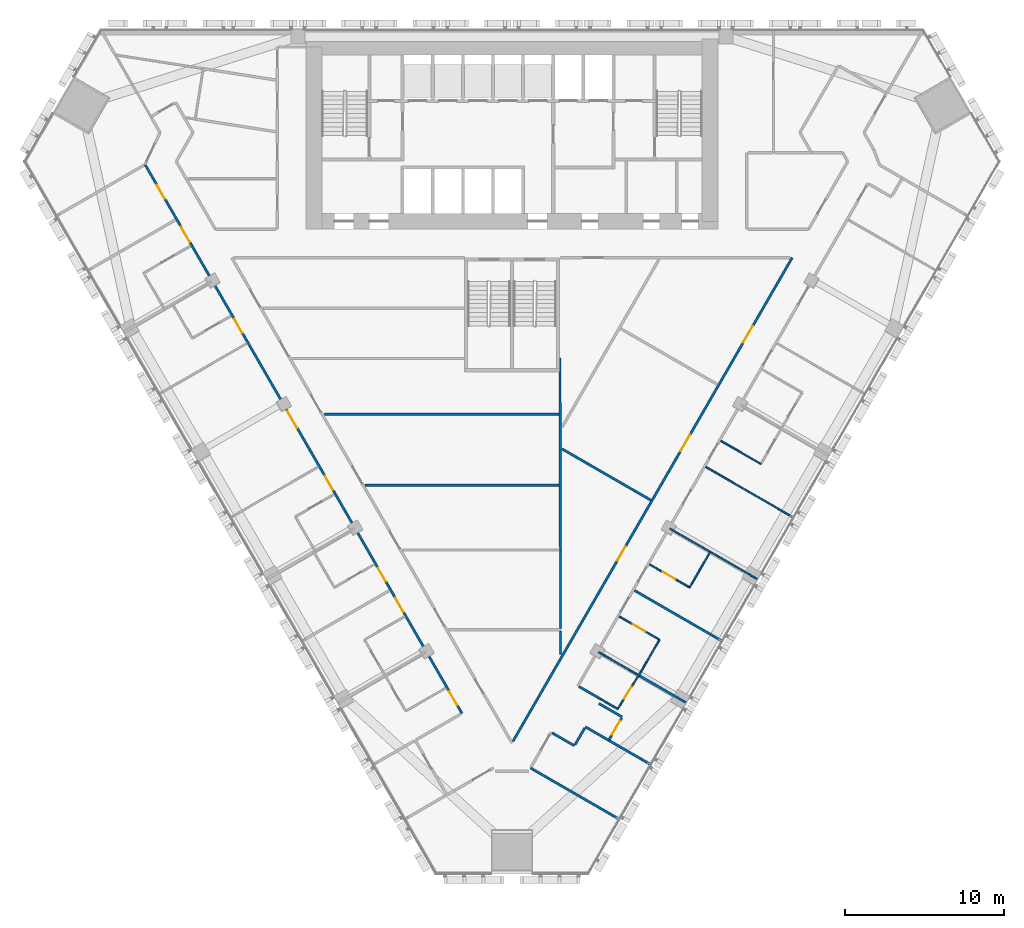
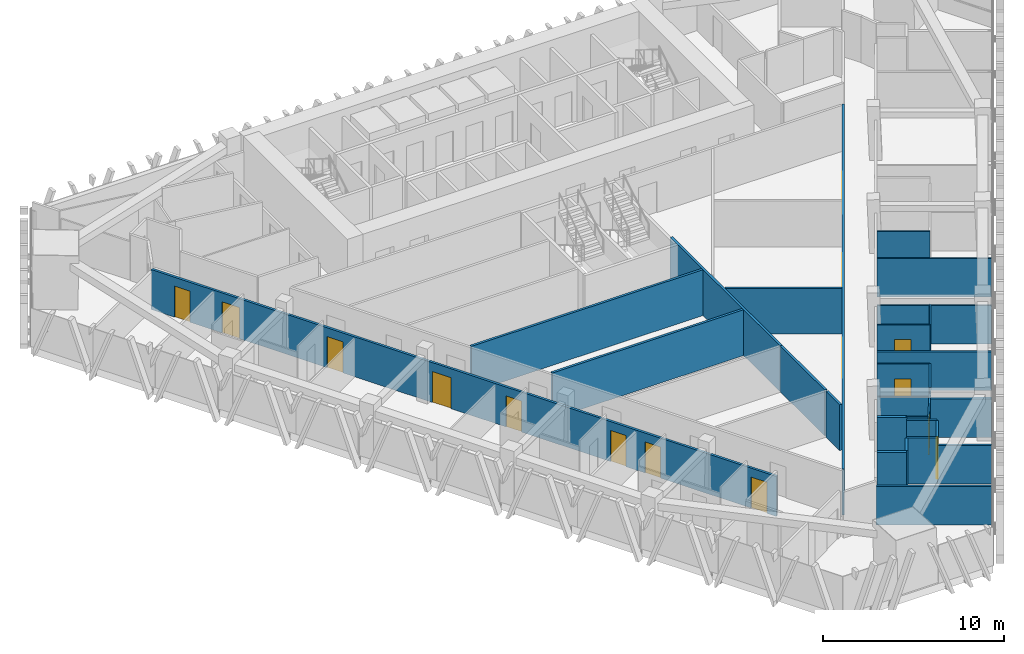
# One storey, part 11 of 18: 28 walls, 15 doors, 15 openings.
"""IFC4 building model written with IfcOpenShell, lengths in metres."""

from ifc_helpers import new_model, si_unit, direction, frame, frame_2d, origin, place, context, subcontext, project, spatial, rectangle, extrude, material, layer, layer_set, type_object, element, fill, save


model = new_model("IFC4")

# Units and contexts
model_context = context("Model", 3, precision=1e-05, world=origin(), true_north=direction((0.0, 1.0)))
body_context = subcontext(model_context, "Body", "Model", "MODEL_VIEW")
ifc_project = project(units=[si_unit("LENGTHUNIT", "METRE"), si_unit("AREAUNIT", "SQUARE_METRE"), si_unit("VOLUMEUNIT", "CUBIC_METRE"), si_unit("PLANEANGLEUNIT", "RADIAN"), si_unit("MASSUNIT", "GRAM", prefix="KILO")], contexts=[model_context])

# Site, building, storey
site_placement = place(None, origin())
site = spatial("IfcSite", under=ifc_project, at=site_placement, CompositionType="ELEMENT")
building_placement = place(site_placement, origin())
building = spatial("IfcBuilding", under=site, at=building_placement, Name="Altiplano Prism Tower", CompositionType="ELEMENT")
storey_placement = place(building_placement, frame((0.0, 0.0, 45.0)))
storey = spatial("IfcBuildingStorey", under=building, at=storey_placement, Name="L10", CompositionType="ELEMENT", Elevation=45.0)

# Wall, opening, door
ifc_material_1 = material(Name="Plasterboard on steel stud", Category="steel")
ifc_layer_1 = layer(ifc_material_1, 0.10009765625)
ifc_layer_set_1 = layer_set([ifc_layer_1], Name="Plasterboard on steel stud")
wall_type_1 = type_object("IfcWallType", Name="Partition 100 unit", PredefinedType="PARTITIONING", material=ifc_layer_set_1)
wall_1_placement = place(storey_placement, frame((93.155517578125, 64.51123046875, 0.0), z_axis=(0.0, 0.0, 1.0), x_axis=(-0.530562750291, -0.847645661821, 0.0)))
wall_1 = element("IfcWall", 1, at=wall_1_placement, inside=storey, type_object=wall_type_1, Name="Partition P02 L10 082", PredefinedType="PARTITIONING", context=body_context, shape_type="SweptSolid", body=[
    extrude(rectangle(XDim=2.8017578125, YDim=0.10009765625, at=frame_2d((1.40087890625, 0.0))), origin(), (0.0, 0.0, 1.0), 2.699951171875),
])
opening_1_placement = place(wall_1_placement, frame((1.154052734375, 0.0, 0.0)))
opening_1 = element("IfcOpeningElement", 2, at=opening_1_placement, cuts=wall_1, Name="Opening D0395", PredefinedType="OPENING", context=body_context, shape_type="SweptSolid", body=[
    extrude(rectangle(XDim=0.89990234375, YDim=2.10009765625, at=frame_2d((0.449951171875, 1.050048828125))), frame((0.0, 0.060546875, 0.0), z_axis=(0.0, -1.0, 0.0), x_axis=(1.0, 0.0, 0.0)), (0.0, 0.0, 1.0), 0.12109375),
])
ifc_material_2 = material(Name="Timber", Category="wood")
door_type_1 = type_object("IfcDoorType", Name="Ensuite door 900 x 2100", OperationType="NOTDEFINED", PredefinedType="NOTDEFINED", material=ifc_material_2)
door_1_placement = place(opening_1_placement, origin())
door_1 = element("IfcDoor", 3, at=door_1_placement, inside=storey, type_object=door_type_1, Name="Door D0395", OperationType="SINGLE_SWING_LEFT", OverallHeight=2.10009765625, OverallWidth=0.89990234375, PredefinedType="NOTDEFINED", context=body_context, shape_type="SweptSolid", body=[
    extrude(rectangle(XDim=0.89990234375, YDim=2.10009765625, at=frame_2d((0.449951171875, 1.050048828125))), frame((0.0, 0.02490234375, 0.0), z_axis=(0.0, -1.0, 0.0), x_axis=(1.0, 0.0, 0.0)), (0.0, 0.0, 1.0), 0.050048828125),
])
fill(opening_1, door_1)

# Wall
wall_2_placement = place(storey_placement, frame((91.6689453125, 62.13623046875, 0.0), z_axis=(0.0, 0.0, 1.0), x_axis=(-0.866005645448, 0.500034220881, 0.0)))
element("IfcWall", 4, at=wall_2_placement, inside=storey, type_object=wall_type_1, Name="Partition P02 L10 083", PredefinedType="PARTITIONING", context=body_context, shape_type="SweptSolid", body=[
    extrude(rectangle(XDim=1.22021484375, YDim=0.10009765625, at=frame_2d((0.610107421875, 0.0))), origin(), (0.0, 0.0, 1.0), 3.10009765625),
])

# Wall, opening, door
wall_3_placement = place(storey_placement, frame((91.7724609375, 67.965576171875, 0.0), z_axis=(0.0, 0.0, 1.0), x_axis=(0.866025730634, -0.499999433879, 0.0)))
wall_3 = element("IfcWall", 5, at=wall_3_placement, inside=storey, type_object=wall_type_1, Name="Partition P02 L10 086", PredefinedType="PARTITIONING", context=body_context, shape_type="SweptSolid", body=[
    extrude(rectangle(XDim=2.9248046875, YDim=0.10009765625, at=frame_2d((1.46240234375, 0.0))), origin(), (0.0, 0.0, 1.0), 3.10009765625),
])
opening_2_placement = place(wall_3_placement, frame((0.97509765625, 0.0, 0.0)))
opening_2 = element("IfcOpeningElement", 6, at=opening_2_placement, cuts=wall_3, Name="Opening D0397", PredefinedType="OPENING", context=body_context, shape_type="SweptSolid", body=[
    extrude(rectangle(XDim=0.89990234375, YDim=2.10009765625, at=frame_2d((0.449951171875, 1.050048828125))), frame((0.0, 0.060546875, 0.0), z_axis=(0.0, -1.0, 0.0), x_axis=(1.0, 0.0, 0.0)), (0.0, 0.0, 1.0), 0.12109375),
])
door_2_placement = place(opening_2_placement, origin())
door_2 = element("IfcDoor", 7, at=door_2_placement, inside=storey, type_object=door_type_1, Name="Door D0397", OperationType="SINGLE_SWING_RIGHT", OverallHeight=2.10009765625, OverallWidth=0.89990234375, PredefinedType="NOTDEFINED", context=body_context, shape_type="SweptSolid", body=[
    extrude(rectangle(XDim=0.89990234375, YDim=2.10009765625, at=frame_2d((0.449951171875, 1.050048828125))), frame((0.0, 0.02490234375, 0.0), z_axis=(0.0, -1.0, 0.0), x_axis=(1.0, 0.0, 0.0)), (0.0, 0.0, 1.0), 0.050048828125),
])
fill(opening_2, door_2)

# Walls
wall_4_placement = place(storey_placement, frame((94.305419921875, 66.503173828125, 0.0), z_axis=(0.0, 0.0, 1.0), x_axis=(-0.499952165731, -0.866053019151, 0.0)))
element("IfcWall", 8, at=wall_4_placement, inside=storey, type_object=wall_type_1, Name="Partition P02 L10 087", PredefinedType="PARTITIONING", context=body_context, shape_type="SweptSolid", body=[
    extrude(rectangle(XDim=2.300048828125, YDim=0.10009765625, at=frame_2d((1.14990234375, 0.0))), origin(), (0.0, 0.0, 1.0), 3.10009765625),
])
wall_5_placement = place(storey_placement, frame((97.48046875, 72.002197265625, 0.0), z_axis=(0.0, 0.0, 1.0), x_axis=(-0.499990435942, -0.866030925526, 0.0)))
element("IfcWall", 9, at=wall_5_placement, inside=storey, type_object=wall_type_1, Name="Partition P02 L10 089", PredefinedType="PARTITIONING", context=body_context, shape_type="SweptSolid", body=[
    extrude(rectangle(XDim=2.5498046875, YDim=0.10009765625, at=frame_2d((1.27490234375, 0.0))), origin(), (0.0, 0.0, 1.0), 2.699951171875),
])

# Wall, opening, door
wall_6_placement = place(storey_placement, frame((96.20556640625, 69.7939453125, 0.0), z_axis=(0.0, 0.0, 1.0), x_axis=(-0.866046596414, 0.499963291492, 0.0)))
wall_6 = element("IfcWall", 10, at=wall_6_placement, inside=storey, type_object=wall_type_1, Name="Partition P02 L10 090", PredefinedType="PARTITIONING", context=body_context, shape_type="SweptSolid", body=[
    extrude(rectangle(XDim=2.925048828125, YDim=0.10009765625, at=frame_2d((1.46240234375, 0.0))), origin(), (0.0, 0.0, 1.0), 3.10009765625),
])
opening_3_placement = place(wall_6_placement, frame((1.050048828125, 0.0, 0.0)))
opening_3 = element("IfcOpeningElement", 11, at=opening_3_placement, cuts=wall_6, Name="Opening D0399", PredefinedType="OPENING", context=body_context, shape_type="SweptSolid", body=[
    extrude(rectangle(XDim=0.89990234375, YDim=2.10009765625, at=frame_2d((0.449951171875, 1.050048828125))), frame((0.0, 0.060546875, 0.0), z_axis=(0.0, -1.0, 0.0), x_axis=(1.0, 0.0, 0.0)), (0.0, 0.0, 1.0), 0.12109375),
])
door_3_placement = place(opening_3_placement, origin())
door_3 = element("IfcDoor", 12, at=door_3_placement, inside=storey, type_object=door_type_1, Name="Door D0399", OperationType="SINGLE_SWING_RIGHT", OverallHeight=2.10009765625, OverallWidth=0.89990234375, PredefinedType="NOTDEFINED", context=body_context, shape_type="SweptSolid", body=[
    extrude(rectangle(XDim=0.89990234375, YDim=2.10009765625, at=frame_2d((0.449951171875, 1.050048828125))), frame((0.0, 0.02490234375, 0.0), z_axis=(0.0, -1.0, 0.0), x_axis=(1.0, 0.0, 0.0)), (0.0, 0.0, 1.0), 0.050048828125),
])
fill(opening_3, door_3)

# Walls
wall_7_placement = place(storey_placement, frame((100.70556640625, 77.588134765625, 0.0), z_axis=(0.0, 0.0, 1.0), x_axis=(-0.86601045545, 0.500025890382, 0.0)))
element("IfcWall", 13, at=wall_7_placement, inside=storey, type_object=wall_type_1, Name="Partition P02 L10 093", PredefinedType="PARTITIONING", context=body_context, shape_type="SweptSolid", body=[
    extrude(rectangle(XDim=2.925048828125, YDim=0.10009765625, at=frame_2d((1.46240234375, 0.0))), origin(), (0.0, 0.0, 1.0), 3.10009765625),
])
ifc_layer_2 = layer(ifc_material_1, 0.10009765625)
ifc_layer_set_2 = layer_set([ifc_layer_2], Name="Plasterboard on steel stud")
wall_type_2 = type_object("IfcWallType", Name="Partition 100 wet", PredefinedType="PARTITIONING", material=ifc_layer_set_2)
wall_8_placement = place(storey_placement, frame((92.936279296875, 64.29150390625, 0.0), z_axis=(0.0, 0.0, 1.0), x_axis=(-0.866048401274, 0.499960165064, 0.0)))
element("IfcWall", 14, at=wall_8_placement, inside=storey, type_object=wall_type_2, Name="Partition P03 L10 085", PredefinedType="PARTITIONING", context=body_context, shape_type="SweptSolid", body=[
    extrude(rectangle(XDim=2.844970703125, YDim=0.10009765625, at=frame_2d((1.42236328125, 0.0))), origin(), (0.0, 0.0, 1.0), 2.699951171875),
])
wall_9_placement = place(storey_placement, frame((100.449951171875, 70.345703125, 0.0), z_axis=(0.0, 0.0, 1.0), x_axis=(-0.866032601554, 0.49998753289, 0.0)))
element("IfcWall", 15, at=wall_9_placement, inside=storey, type_object=wall_type_2, Name="Partition P03 L10 091", PredefinedType="PARTITIONING", context=body_context, shape_type="SweptSolid", body=[
    extrude(rectangle(XDim=6.324951171875, YDim=0.10009765625, at=frame_2d((3.16259765625, 0.0))), origin(), (0.0, 0.0, 1.0), 2.60009765625),
])
wall_10_placement = place(storey_placement, frame((102.717529296875, 74.232666015625, 0.0), z_axis=(0.0, 0.0, 1.0), x_axis=(-0.866025401434, 0.500000004071, 0.0)))
element("IfcWall", 16, at=wall_10_placement, inside=storey, type_object=wall_type_2, Name="Partition P03 L10 092", PredefinedType="PARTITIONING", context=body_context, shape_type="SweptSolid", body=[
    extrude(rectangle(XDim=6.34521484375, YDim=0.10009765625, at=frame_2d((3.172607421875, 0.0))), origin(), (0.0, 0.0, 1.0), 2.60009765625),
])

# Wall, openings, doors
ifc_layer_3 = layer(ifc_material_1, 0.14990234375)
ifc_layer_set_3 = layer_set([ifc_layer_3], Name="Plasterboard on steel stud")
wall_type_3 = type_object("IfcWallType", Name="Partition 150 corridor", PredefinedType="PARTITIONING", material=ifc_layer_set_3)
wall_11_placement = place(storey_placement, frame((61.85302734375, 96.47705078125, 0.0), z_axis=(0.0, 0.0, 1.0), x_axis=(0.500000327816, -0.86602521452, 0.0)))
wall_11 = element("IfcWall", 17, at=wall_11_placement, inside=storey, type_object=wall_type_3, Name="Partition P06 L10 009", PredefinedType="PARTITIONING", context=body_context, shape_type="SweptSolid", body=[
    extrude(rectangle(XDim=39.97900390625, YDim=0.14990234375, at=frame_2d((19.989501953125, 0.0))), origin(), (0.0, 0.0, 1.0), 2.699951171875),
])
opening_4_placement = place(wall_11_placement, frame((1.489990234375, 0.0, 0.0)))
opening_4 = element("IfcOpeningElement", 18, at=opening_4_placement, cuts=wall_11, Name="Opening D0377", PredefinedType="OPENING", context=body_context, shape_type="SweptSolid", body=[
    extrude(rectangle(XDim=1.0, YDim=2.10009765625, at=frame_2d((0.5, 1.050048828125))), frame((0.0, 0.08544921875, 0.0), z_axis=(0.0, -1.0, 0.0), x_axis=(1.0, 0.0, 0.0)), (0.0, 0.0, 1.0), 0.1708984375),
])
opening_5_placement = place(wall_11_placement, frame((4.550048828125, 0.0, 0.0)))
opening_5 = element("IfcOpeningElement", 19, at=opening_5_placement, cuts=wall_11, Name="Opening D0378", PredefinedType="OPENING", context=body_context, shape_type="SweptSolid", body=[
    extrude(rectangle(XDim=1.10009765625, YDim=2.10009765625, at=frame_2d((0.550048828125, 1.050048828125))), frame((0.0, 0.08544921875, 0.0), z_axis=(0.0, -1.0, 0.0), x_axis=(1.0, 0.0, 0.0)), (0.0, 0.0, 1.0), 0.1708984375),
])
opening_6_placement = place(wall_11_placement, frame((11.259033203125, 0.0, 0.0)))
opening_6 = element("IfcOpeningElement", 20, at=opening_6_placement, cuts=wall_11, Name="Opening D0380", PredefinedType="OPENING", context=body_context, shape_type="SweptSolid", body=[
    extrude(rectangle(XDim=1.0, YDim=2.10009765625, at=frame_2d((0.5, 1.050048828125))), frame((0.0, 0.08544921875, 0.0), z_axis=(0.0, -1.0, 0.0), x_axis=(1.0, 0.0, 0.0)), (0.0, 0.0, 1.0), 0.1708984375),
])
opening_7_placement = place(wall_11_placement, frame((17.97900390625, 0.0, 0.0)))
opening_7 = element("IfcOpeningElement", 21, at=opening_7_placement, cuts=wall_11, Name="Opening D0382", PredefinedType="OPENING", context=body_context, shape_type="SweptSolid", body=[
    extrude(rectangle(XDim=1.199951171875, YDim=2.10009765625, at=frame_2d((0.60009765625, 1.050048828125))), frame((0.0, 0.08544921875, 0.0), z_axis=(0.0, -1.0, 0.0), x_axis=(1.0, 0.0, 0.0)), (0.0, 0.0, 1.0), 0.1708984375),
])
opening_8_placement = place(wall_11_placement, frame((22.698974609375, 0.0, 0.0)))
opening_8 = element("IfcOpeningElement", 22, at=opening_8_placement, cuts=wall_11, Name="Opening D0383", PredefinedType="OPENING", context=body_context, shape_type="SweptSolid", body=[
    extrude(rectangle(XDim=1.0, YDim=2.10009765625, at=frame_2d((0.5, 1.050048828125))), frame((0.0, 0.08544921875, 0.0), z_axis=(0.0, -1.0, 0.0), x_axis=(1.0, 0.0, 0.0)), (0.0, 0.0, 1.0), 0.1708984375),
])
opening_9_placement = place(wall_11_placement, frame((29.3740234375, 0.0, 0.0)))
opening_9 = element("IfcOpeningElement", 23, at=opening_9_placement, cuts=wall_11, Name="Opening D0385", PredefinedType="OPENING", context=body_context, shape_type="SweptSolid", body=[
    extrude(rectangle(XDim=1.0, YDim=2.10009765625, at=frame_2d((0.5, 1.050048828125))), frame((0.0, 0.08544921875, 0.0), z_axis=(0.0, -1.0, 0.0), x_axis=(1.0, 0.0, 0.0)), (0.0, 0.0, 1.0), 0.1708984375),
])
opening_10_placement = place(wall_11_placement, frame((31.583984375, 0.0, 0.0)))
opening_10 = element("IfcOpeningElement", 24, at=opening_10_placement, cuts=wall_11, Name="Opening D0387", PredefinedType="OPENING", context=body_context, shape_type="SweptSolid", body=[
    extrude(rectangle(XDim=1.0, YDim=2.10009765625, at=frame_2d((0.5, 1.050048828125))), frame((0.0, 0.08544921875, 0.0), z_axis=(0.0, -1.0, 0.0), x_axis=(1.0, 0.0, 0.0)), (0.0, 0.0, 1.0), 0.1708984375),
])
opening_11_placement = place(wall_11_placement, frame((38.3740234375, 0.0, 0.0)))
opening_11 = element("IfcOpeningElement", 25, at=opening_11_placement, cuts=wall_11, Name="Opening D0389", PredefinedType="OPENING", context=body_context, shape_type="SweptSolid", body=[
    extrude(rectangle(XDim=1.0, YDim=2.10009765625, at=frame_2d((0.5, 1.050048828125))), frame((0.0, 0.08544921875, 0.0), z_axis=(0.0, -1.0, 0.0), x_axis=(1.0, 0.0, 0.0)), (0.0, 0.0, 1.0), 0.1708984375),
])
door_type_2 = type_object("IfcDoorType", Name="Accessible bedroom door 1100 x 2100", OperationType="NOTDEFINED", PredefinedType="NOTDEFINED", material=ifc_material_2)
door_4_placement = place(opening_5_placement, origin())
door_4 = element("IfcDoor", 26, at=door_4_placement, inside=storey, type_object=door_type_2, Name="Door D0378", OperationType="SINGLE_SWING_LEFT", OverallHeight=2.10009765625, OverallWidth=1.10009765625, PredefinedType="NOTDEFINED", context=body_context, shape_type="SweptSolid", body=[
    extrude(rectangle(XDim=1.10009765625, YDim=2.10009765625, at=frame_2d((0.550048828125, 1.050048828125))), frame((0.0, 0.02490234375, 0.0), z_axis=(0.0, -1.0, 0.0), x_axis=(1.0, 0.0, 0.0)), (0.0, 0.0, 1.0), 0.050048828125),
])
fill(opening_5, door_4)
door_type_3 = type_object("IfcDoorType", Name="Bedroom entrance door 1000 x 2100", OperationType="NOTDEFINED", PredefinedType="NOTDEFINED", material=ifc_material_2)
door_5_placement = place(opening_6_placement, origin())
door_5 = element("IfcDoor", 27, at=door_5_placement, inside=storey, type_object=door_type_3, Name="Door D0380", OperationType="SINGLE_SWING_RIGHT", OverallHeight=2.10009765625, OverallWidth=1.0, PredefinedType="NOTDEFINED", context=body_context, shape_type="SweptSolid", body=[
    extrude(rectangle(XDim=1.0, YDim=2.10009765625, at=frame_2d((0.5, 1.050048828125))), frame((0.0, 0.02490234375, 0.0), z_axis=(0.0, -1.0, 0.0), x_axis=(1.0, 0.0, 0.0)), (0.0, 0.0, 1.0), 0.050048828125),
])
fill(opening_6, door_5)
door_6_placement = place(opening_8_placement, origin())
door_6 = element("IfcDoor", 28, at=door_6_placement, inside=storey, type_object=door_type_3, Name="Door D0383", OperationType="SINGLE_SWING_LEFT", OverallHeight=2.10009765625, OverallWidth=1.0, PredefinedType="NOTDEFINED", context=body_context, shape_type="SweptSolid", body=[
    extrude(rectangle(XDim=1.0, YDim=2.10009765625, at=frame_2d((0.5, 1.050048828125))), frame((0.0, 0.02490234375, 0.0), z_axis=(0.0, -1.0, 0.0), x_axis=(1.0, 0.0, 0.0)), (0.0, 0.0, 1.0), 0.050048828125),
])
fill(opening_8, door_6)
door_7_placement = place(opening_9_placement, origin())
door_7 = element("IfcDoor", 29, at=door_7_placement, inside=storey, type_object=door_type_3, Name="Door D0385", OperationType="SINGLE_SWING_RIGHT", OverallHeight=2.10009765625, OverallWidth=1.0, PredefinedType="NOTDEFINED", context=body_context, shape_type="SweptSolid", body=[
    extrude(rectangle(XDim=1.0, YDim=2.10009765625, at=frame_2d((0.5, 1.050048828125))), frame((0.0, 0.02490234375, 0.0), z_axis=(0.0, -1.0, 0.0), x_axis=(1.0, 0.0, 0.0)), (0.0, 0.0, 1.0), 0.050048828125),
])
fill(opening_9, door_7)
door_8_placement = place(opening_10_placement, origin())
door_8 = element("IfcDoor", 30, at=door_8_placement, inside=storey, type_object=door_type_3, Name="Door D0387", OperationType="SINGLE_SWING_LEFT", OverallHeight=2.10009765625, OverallWidth=1.0, PredefinedType="NOTDEFINED", context=body_context, shape_type="SweptSolid", body=[
    extrude(rectangle(XDim=1.0, YDim=2.10009765625, at=frame_2d((0.5, 1.050048828125))), frame((0.0, 0.02490234375, 0.0), z_axis=(0.0, -1.0, 0.0), x_axis=(1.0, 0.0, 0.0)), (0.0, 0.0, 1.0), 0.050048828125),
])
fill(opening_10, door_8)
door_9_placement = place(opening_11_placement, origin())
door_9 = element("IfcDoor", 31, at=door_9_placement, inside=storey, type_object=door_type_3, Name="Door D0389", OperationType="SINGLE_SWING_RIGHT", OverallHeight=2.10009765625, OverallWidth=1.0, PredefinedType="NOTDEFINED", context=body_context, shape_type="SweptSolid", body=[
    extrude(rectangle(XDim=1.0, YDim=2.10009765625, at=frame_2d((0.5, 1.050048828125))), frame((0.0, 0.02490234375, 0.0), z_axis=(0.0, -1.0, 0.0), x_axis=(1.0, 0.0, 0.0)), (0.0, 0.0, 1.0), 0.050048828125),
])
fill(opening_11, door_9)
door_type_4 = type_object("IfcDoorType", Name="Room door 1000 x 2100", OperationType="NOTDEFINED", PredefinedType="NOTDEFINED", material=ifc_material_2)
door_10_placement = place(opening_4_placement, origin())
door_10 = element("IfcDoor", 32, at=door_10_placement, inside=storey, type_object=door_type_4, Name="Door D0377", OperationType="SINGLE_SWING_RIGHT", OverallHeight=2.10009765625, OverallWidth=1.0, PredefinedType="NOTDEFINED", context=body_context, shape_type="SweptSolid", body=[
    extrude(rectangle(XDim=1.0, YDim=2.10009765625, at=frame_2d((0.5, 1.050048828125))), frame((0.0, 0.02490234375, 0.0), z_axis=(0.0, -1.0, 0.0), x_axis=(1.0, 0.0, 0.0)), (0.0, 0.0, 1.0), 0.050048828125),
])
fill(opening_4, door_10)
door_type_5 = type_object("IfcDoorType", Name="Shared room door 1200 x 2100", OperationType="NOTDEFINED", PredefinedType="NOTDEFINED", material=ifc_material_2)
door_11_placement = place(opening_7_placement, origin())
door_11 = element("IfcDoor", 33, at=door_11_placement, inside=storey, type_object=door_type_5, Name="Door D0382", OperationType="SINGLE_SWING_RIGHT", OverallHeight=2.10009765625, OverallWidth=1.199951171875, PredefinedType="NOTDEFINED", context=body_context, shape_type="SweptSolid", body=[
    extrude(rectangle(XDim=1.199951171875, YDim=2.10009765625, at=frame_2d((0.60009765625, 1.050048828125))), frame((0.0, 0.02490234375, 0.0), z_axis=(0.0, -1.0, 0.0), x_axis=(1.0, 0.0, 0.0)), (0.0, 0.0, 1.0), 0.050048828125),
])
fill(opening_7, door_11)

# Walls
wall_12_placement = place(storey_placement, frame((87.532958984375, 60.62255859375, 0.0), z_axis=(0.0, 0.0, 1.0), x_axis=(0.866015446554, -0.500017246033, 0.0)))
element("IfcWall", 34, at=wall_12_placement, inside=storey, type_object=wall_type_3, Name="Partition P06 L10 016", PredefinedType="PARTITIONING", context=body_context, shape_type="SweptSolid", body=[
    extrude(rectangle(XDim=1.625, YDim=0.14990234375, at=frame_2d((0.8125, 0.0))), origin(), (0.0, 0.0, 1.0), 3.10009765625),
])
wall_13_placement = place(storey_placement, frame((88.977783203125, 59.875, 0.0), z_axis=(0.0, 0.0, 1.0), x_axis=(0.500049196018, 0.865996998587, 0.0)))
element("IfcWall", 35, at=wall_13_placement, inside=storey, type_object=wall_type_3, Name="Partition P06 L10 017", PredefinedType="PARTITIONING", context=body_context, shape_type="SweptSolid", body=[
    extrude(rectangle(XDim=1.22900390625, YDim=0.14990234375, at=frame_2d((0.614501953125, 0.0))), origin(), (0.0, 0.0, 1.0), 3.10009765625),
])
wall_14_placement = place(storey_placement, frame((89.629638671875, 61.004150390625, 0.0), z_axis=(0.0, 0.0, 1.0), x_axis=(0.866050849587, -0.499955923987, 0.0)))
element("IfcWall", 36, at=wall_14_placement, inside=storey, type_object=wall_type_3, Name="Partition P06 L10 018", PredefinedType="PARTITIONING", context=body_context, shape_type="SweptSolid", body=[
    extrude(rectangle(XDim=1.719970703125, YDim=0.14990234375, at=frame_2d((0.85986328125, 0.0))), origin(), (0.0, 0.0, 1.0), 3.10009765625),
])

# Wall, opening, door
wall_15_placement = place(storey_placement, frame((91.139404296875, 60.21923828125, 0.0), z_axis=(0.0, 0.0, 1.0), x_axis=(0.499967891604, 0.866043940782, 0.0)))
wall_15 = element("IfcWall", 37, at=wall_15_placement, inside=storey, type_object=wall_type_3, Name="Partition P06 L10 019", PredefinedType="PARTITIONING", context=body_context, shape_type="SweptSolid", body=[
    extrude(rectangle(XDim=1.5498046875, YDim=0.14990234375, at=frame_2d((0.77490234375, 0.0))), origin(), (0.0, 0.0, 1.0), 3.10009765625),
])
opening_12_placement = place(wall_15_placement, frame((0.35009765625, 0.0, 0.0)))
opening_12 = element("IfcOpeningElement", 38, at=opening_12_placement, cuts=wall_15, Name="Opening D0394", PredefinedType="OPENING", context=body_context, shape_type="SweptSolid", body=[
    extrude(rectangle(XDim=1.0, YDim=2.10009765625, at=frame_2d((0.5, 1.050048828125))), frame((0.0, 0.08544921875, 0.0), z_axis=(0.0, -1.0, 0.0), x_axis=(1.0, 0.0, 0.0)), (0.0, 0.0, 1.0), 0.1708984375),
])
door_12_placement = place(opening_12_placement, origin())
door_12 = element("IfcDoor", 39, at=door_12_placement, inside=storey, type_object=door_type_3, Name="Door D0394", OperationType="SINGLE_SWING_RIGHT", OverallHeight=2.10009765625, OverallWidth=1.0, PredefinedType="NOTDEFINED", context=body_context, shape_type="SweptSolid", body=[
    extrude(rectangle(XDim=1.0, YDim=2.10009765625, at=frame_2d((0.5, 1.050048828125))), frame((0.0, 0.02490234375, 0.0), z_axis=(0.0, -1.0, 0.0), x_axis=(1.0, 0.0, 0.0)), (0.0, 0.0, 1.0), 0.050048828125),
])
fill(opening_12, door_12)

# Walls
wall_16_placement = place(storey_placement, frame((91.951904296875, 61.62646484375, 0.0), z_axis=(0.0, 0.0, 1.0), x_axis=(-0.865989465428, 0.500062241894, 0.0)))
element("IfcWall", 40, at=wall_16_placement, inside=storey, type_object=wall_type_3, Name="Partition P06 L10 020", PredefinedType="PARTITIONING", context=body_context, shape_type="SweptSolid", body=[
    extrude(rectangle(XDim=1.699951171875, YDim=0.14990234375, at=frame_2d((0.85009765625, 0.0))), origin(), (0.0, 0.0, 1.0), 3.10009765625),
])
wall_17_placement = place(storey_placement, frame((90.64697265625, 62.726318359375, 0.0), z_axis=(0.0, 0.0, 1.0), x_axis=(-0.866015045157, 0.50001794124, 0.0)))
element("IfcWall", 41, at=wall_17_placement, inside=storey, type_object=wall_type_3, Name="Partition P06 L10 021", PredefinedType="PARTITIONING", context=body_context, shape_type="SweptSolid", body=[
    extrude(rectangle(XDim=1.64501953125, YDim=0.14990234375, at=frame_2d((0.822509765625, 0.0))), origin(), (0.0, 0.0, 1.0), 3.10009765625),
])

# Wall, openings, doors
wall_18_placement = place(storey_placement, frame((102.67529296875, 90.60009765625, 0.0), z_axis=(0.0, 0.0, 1.0), x_axis=(-0.499997865474, -0.86602663615, 0.0)))
wall_18 = element("IfcWall", 42, at=wall_18_placement, inside=storey, type_object=wall_type_3, Name="Partition P06 L10 036", PredefinedType="PARTITIONING", context=body_context, shape_type="SweptSolid", body=[
    extrude(rectangle(XDim=35.220947265625, YDim=0.14990234375, at=frame_2d((17.6103515625, 0.0))), origin(), (0.0, 0.0, 1.0), 3.10009765625),
])
opening_13_placement = place(wall_18_placement, frame((12.875, 0.0, 0.0)))
opening_13 = element("IfcOpeningElement", 43, at=opening_13_placement, cuts=wall_18, Name="Opening D0410", PredefinedType="OPENING", context=body_context, shape_type="SweptSolid", body=[
    extrude(rectangle(XDim=1.199951171875, YDim=2.10009765625, at=frame_2d((0.60009765625, 1.050048828125))), frame((0.0, 0.08544921875, 0.0), z_axis=(0.0, -1.0, 0.0), x_axis=(1.0, 0.0, 0.0)), (0.0, 0.0, 1.0), 0.1708984375),
])
opening_14_placement = place(wall_18_placement, frame((4.98291015625, 0.0, 0.0)))
opening_14 = element("IfcOpeningElement", 44, at=opening_14_placement, cuts=wall_18, Name="Opening D0411", PredefinedType="OPENING", context=body_context, shape_type="SweptSolid", body=[
    extrude(rectangle(XDim=1.199951171875, YDim=2.10009765625, at=frame_2d((0.60009765625, 1.050048828125))), frame((0.0, 0.08544921875, 0.0), z_axis=(0.0, -1.0, 0.0), x_axis=(1.0, 0.0, 0.0)), (0.0, 0.0, 1.0), 0.1708984375),
])
opening_15_placement = place(wall_18_placement, frame((21.048095703125, 0.0, 0.0)))
opening_15 = element("IfcOpeningElement", 45, at=opening_15_placement, cuts=wall_18, Name="Opening D0416", PredefinedType="OPENING", context=body_context, shape_type="SweptSolid", body=[
    extrude(rectangle(XDim=1.0, YDim=2.10009765625, at=frame_2d((0.5, 1.050048828125))), frame((0.0, 0.08544921875, 0.0), z_axis=(0.0, -1.0, 0.0), x_axis=(1.0, 0.0, 0.0)), (0.0, 0.0, 1.0), 0.1708984375),
])
door_13_placement = place(opening_15_placement, origin())
door_13 = element("IfcDoor", 46, at=door_13_placement, inside=storey, type_object=door_type_4, Name="Door D0416", OperationType="SINGLE_SWING_RIGHT", OverallHeight=2.10009765625, OverallWidth=1.0, PredefinedType="NOTDEFINED", context=body_context, shape_type="SweptSolid", body=[
    extrude(rectangle(XDim=1.0, YDim=2.10009765625, at=frame_2d((0.5, 1.050048828125))), frame((0.0, 0.02490234375, 0.0), z_axis=(0.0, -1.0, 0.0), x_axis=(1.0, 0.0, 0.0)), (0.0, 0.0, 1.0), 0.050048828125),
])
fill(opening_15, door_13)
door_14_placement = place(opening_13_placement, origin())
door_14 = element("IfcDoor", 47, at=door_14_placement, inside=storey, type_object=door_type_5, Name="Door D0410", OperationType="SINGLE_SWING_RIGHT", OverallHeight=2.10009765625, OverallWidth=1.199951171875, PredefinedType="NOTDEFINED", context=body_context, shape_type="SweptSolid", body=[
    extrude(rectangle(XDim=1.199951171875, YDim=2.10009765625, at=frame_2d((0.60009765625, 1.050048828125))), frame((0.0, 0.02490234375, 0.0), z_axis=(0.0, -1.0, 0.0), x_axis=(1.0, 0.0, 0.0)), (0.0, 0.0, 1.0), 0.050048828125),
])
fill(opening_13, door_14)
door_15_placement = place(opening_14_placement, origin())
door_15 = element("IfcDoor", 48, at=door_15_placement, inside=storey, type_object=door_type_5, Name="Door D0411", OperationType="SINGLE_SWING_LEFT", OverallHeight=2.10009765625, OverallWidth=1.199951171875, PredefinedType="NOTDEFINED", context=body_context, shape_type="SweptSolid", body=[
    extrude(rectangle(XDim=1.199951171875, YDim=2.10009765625, at=frame_2d((0.60009765625, 1.050048828125))), frame((0.0, 0.02490234375, 0.0), z_axis=(0.0, -1.0, 0.0), x_axis=(1.0, 0.0, 0.0)), (0.0, 0.0, 1.0), 0.050048828125),
])
fill(opening_14, door_15)

# Walls
ifc_layer_4 = layer(ifc_material_1, 0.14990234375)
ifc_layer_set_4 = layer_set([ifc_layer_4], Name="Plasterboard on steel stud")
wall_type_4 = type_object("IfcWallType", Name="Partition 150 party", PredefinedType="PARTITIONING", material=ifc_layer_set_4)
wall_19_placement = place(storey_placement, frame((91.72802734375, 55.1982421875, 0.0), z_axis=(0.0, 0.0, 1.0), x_axis=(-0.866018406147, 0.500012120068, 0.0)))
element("IfcWall", 49, at=wall_19_placement, inside=storey, type_object=wall_type_4, Name="Partition P01 L10 080", PredefinedType="PARTITIONING", context=body_context, shape_type="SweptSolid", body=[
    extrude(rectangle(XDim=6.420166015625, YDim=0.14990234375, at=frame_2d((3.2099609375, 0.0))), origin(), (0.0, 0.0, 1.0), 2.60009765625),
])
wall_20_placement = place(storey_placement, frame((93.717529296875, 58.644287109375, 0.0), z_axis=(0.0, 0.0, 1.0), x_axis=(-0.866050981532, 0.499955695424, 0.0)))
element("IfcWall", 50, at=wall_20_placement, inside=storey, type_object=wall_type_4, Name="Partition P01 L10 081", PredefinedType="PARTITIONING", context=body_context, shape_type="SweptSolid", body=[
    extrude(rectangle(XDim=3.020263671875, YDim=0.14990234375, at=frame_2d((1.51025390625, 0.0))), origin(), (0.0, 0.0, 1.0), 2.60009765625),
])
wall_21_placement = place(storey_placement, frame((95.949951171875, 62.55126953125, 0.0), z_axis=(0.0, 0.0, 1.0), x_axis=(-0.865989465428, 0.500062241894, 0.0)))
element("IfcWall", 51, at=wall_21_placement, inside=storey, type_object=wall_type_4, Name="Partition P01 L10 084", PredefinedType="PARTITIONING", context=body_context, shape_type="SweptSolid", body=[
    extrude(rectangle(XDim=3.39990234375, YDim=0.14990234375, at=frame_2d((1.699951171875, 0.0))), origin(), (0.0, 0.0, 1.0), 2.60009765625),
])
wall_22_placement = place(storey_placement, frame((98.217529296875, 66.4384765625, 0.0), z_axis=(0.0, 0.0, 1.0), x_axis=(-0.866025401434, 0.500000004071, 0.0)))
element("IfcWall", 52, at=wall_22_placement, inside=storey, type_object=wall_type_4, Name="Partition P01 L10 088", PredefinedType="PARTITIONING", context=body_context, shape_type="SweptSolid", body=[
    extrude(rectangle(XDim=6.34521484375, YDim=0.14990234375, at=frame_2d((3.172607421875, 0.0))), origin(), (0.0, 0.0, 1.0), 2.60009765625),
])
wall_23_placement = place(storey_placement, frame((87.958984375, 80.716552734375, 0.0), z_axis=(0.0, 0.0, 1.0), x_axis=(-1.0, 0.0, 0.0)))
element("IfcWall", 53, at=wall_23_placement, inside=storey, type_object=wall_type_4, Name="Partition P01 L10 104", PredefinedType="PARTITIONING", context=body_context, shape_type="SweptSolid", body=[
    extrude(rectangle(XDim=14.79833984375, YDim=0.14990234375, at=frame_2d((7.399169921875, 0.0))), origin(), (0.0, 0.0, 1.0), 3.10009765625),
])
wall_24_placement = place(storey_placement, frame((75.740234375, 76.248779296875, 0.0), z_axis=(0.0, 0.0, 1.0), x_axis=(1.0, 0.0, 0.0)))
element("IfcWall", 54, at=wall_24_placement, inside=storey, type_object=wall_type_4, Name="Partition P01 L10 105", PredefinedType="PARTITIONING", context=body_context, shape_type="SweptSolid", body=[
    extrude(rectangle(XDim=12.23046875, YDim=0.14990234375, at=frame_2d((6.115234375, 0.0))), origin(), (0.0, 0.0, 1.0), 3.10009765625),
])
wall_25_placement = place(storey_placement, frame((88.152587890625, 78.54248046875, 0.0), z_axis=(0.0, 0.0, 1.0), x_axis=(0.866027312607, -0.499996693808, 0.0)))
element("IfcWall", 55, at=wall_25_placement, inside=storey, type_object=wall_type_4, Name="Partition P01 L10 107", PredefinedType="PARTITIONING", context=body_context, shape_type="SweptSolid", body=[
    extrude(rectangle(XDim=6.47314453125, YDim=0.14990234375, at=frame_2d((3.236572265625, 0.0))), origin(), (0.0, 0.0, 1.0), 3.10009765625),
])
wall_26_placement = place(storey_placement, frame((88.056640625, 72.141357421875, 0.0), z_axis=(0.0, 0.0, 1.0), x_axis=(-0.002618108399, 0.999996572748, 0.0)))
element("IfcWall", 56, at=wall_26_placement, inside=storey, type_object=wall_type_4, Name="Partition P01 L10 110", PredefinedType="PARTITIONING", context=body_context, shape_type="SweptSolid", body=[
    extrude(rectangle(XDim=12.12255859375, YDim=0.14990234375, at=frame_2d((6.061279296875, 0.0))), origin(), (0.0, 0.0, 1.0), 3.10009765625),
])
wall_27_placement = place(storey_placement, frame((88.056640625, 67.21044921875, 0.0), z_axis=(0.0, 0.0, 1.0), x_axis=(0.0, 1.0, 0.0)))
element("IfcWall", 57, at=wall_27_placement, inside=storey, type_object=wall_type_4, Name="Partition P01 L10 113", PredefinedType="PARTITIONING", context=body_context, shape_type="SweptSolid", body=[
    extrude(rectangle(XDim=4.9306640625, YDim=0.14990234375, at=frame_2d((2.46533203125, 0.0))), origin(), (0.0, 0.0, 1.0), 3.10009765625),
])
wall_28_placement = place(storey_placement, frame((88.056640625, 67.060546875, 0.0), z_axis=(0.0, 0.0, 1.0), x_axis=(0.0, -1.0, 0.0)))
element("IfcWall", 58, at=wall_28_placement, inside=storey, type_object=wall_type_4, Name="Partition P01 L10 115", PredefinedType="PARTITIONING", context=body_context, shape_type="SweptSolid", body=[
    extrude(rectangle(XDim=1.5009765625, YDim=0.14990234375, at=frame_2d((0.75048828125, 0.0))), origin(), (0.0, 0.0, 1.0), 3.10009765625),
])

save(model, "model.ifc")
